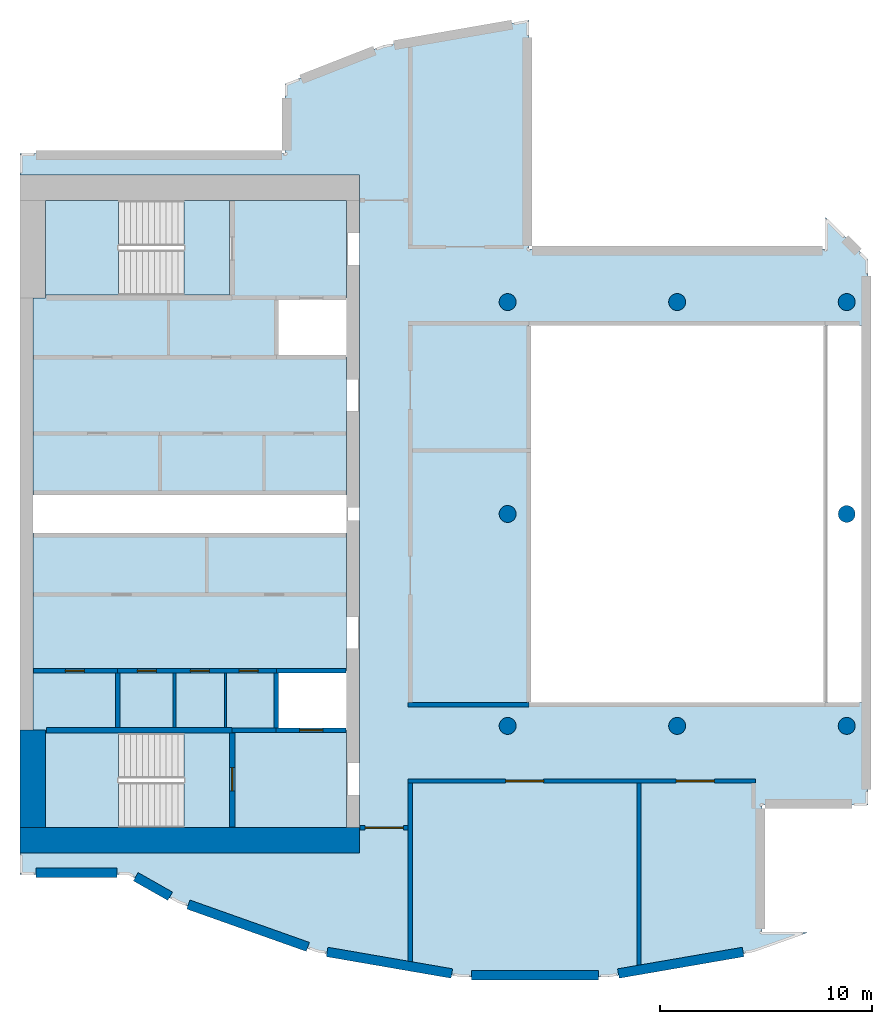
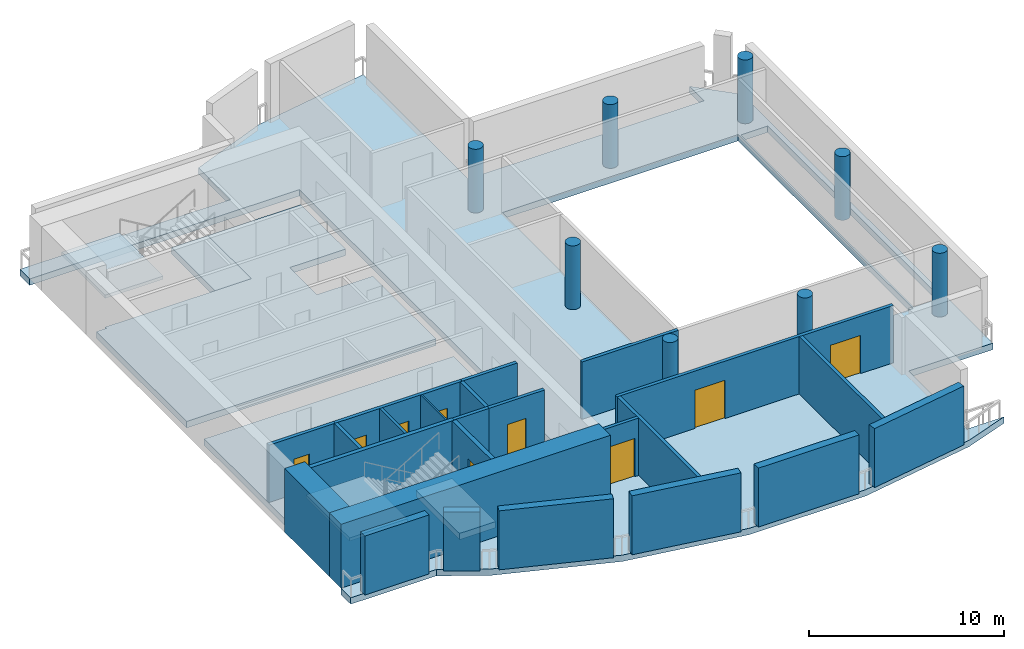
# One storey, part 1 of 8: 24 walls, 9 doors, 8 columns, 7 slabs, 9 openings, 2 elements without a shape of their own.
"""IFC4 building model written with IfcOpenShell, lengths in metres."""

from ifc_helpers import new_model, si_unit, direction, frame, frame_2d, origin, origin_2d, place, context, subcontext, project, spatial, polyline, rectangle, circle, outline, extrude, material, layer, layer_set, material_profile, profile_set, type_object, element, fill, aggregate, save


model = new_model("IFC4")

# Units and contexts
model_context = context("Model", 3, precision=1e-05, world=origin(), true_north=direction((0.0, 1.0)))
body_context = subcontext(model_context, "Body", "Model", "MODEL_VIEW")
ifc_project = project(units=[si_unit("LENGTHUNIT", "METRE"), si_unit("AREAUNIT", "SQUARE_METRE"), si_unit("VOLUMEUNIT", "CUBIC_METRE"), si_unit("PLANEANGLEUNIT", "RADIAN"), si_unit("MASSUNIT", "GRAM", prefix="KILO")], contexts=[model_context])

# Site, building, storey
site_placement = place(None, origin())
site = spatial("IfcSite", under=ifc_project, at=site_placement, CompositionType="ELEMENT")
building_placement = place(site_placement, origin())
building = spatial("IfcBuilding", under=site, at=building_placement, Name="Cypress Arch Tower", CompositionType="ELEMENT")
storey_placement = place(building_placement, frame((0.0, 0.0, 351.0)))
storey = spatial("IfcBuildingStorey", under=building, at=storey_placement, Name="L80", CompositionType="ELEMENT", Elevation=351.0)

# Columns
ifc_material_1 = material(Name="Concrete C60/75", Category="concrete")
ifc_material_profile = material_profile(ifc_material_1, circle(Radius=0.39990234375, at=origin_2d()), Name="RC D800")
ifc_profile_set = profile_set([ifc_material_profile], Name="Concrete C60/75")
column_type = type_object("IfcColumnType", Name="Column RC D800 Concrete C60/75", PredefinedType="COLUMN", material=ifc_profile_set)
for number, where, z_axis, x_axis, name in (
    (1, (-7.0, -10.0, 0.0), (0.0, 0.0, 1.0), (1.0, 0.0, 0.0), "Column L80 RNG-L80-G-7-10"),
    (2, (-7.0, 0.0, 0.0), (0.0, 0.0, 1.0), (1.0, 0.0, 0.0), "Column L80 RNG-L80-G-7+0"),
    (3, (-7.0, 10.0, 0.0), (0.0, 0.0, 1.0), (1.0, 0.0, 0.0), "Column L80 RNG-L80-G-7+10"),
    (4, (1.0, -10.0, 0.0), (0.0, 0.0, 1.0), (1.0, 0.0, 0.0), "Column L80 RNG-L80-G+1-10"),
    (5, (1.0, 10.0, 0.0), (0.0, 0.0, 1.0), (1.0, 0.0, 0.0), "Column L80 RNG-L80-G+1+10"),
    (6, (9.0, -10.0, 0.0), (0.0, 0.0, 1.0), (1.0, 0.0, 0.0), "Column L80 RNG-L80-G+9-10"),
    (7, (9.0, 0.0, 0.0), (0.0, 0.0, 1.0), (1.0, 0.0, 0.0), "Column L80 RNG-L80-G+9+0"),
    (8, (9.0, 10.0, 0.0), (0.0, 0.0, 1.0), (1.0, 0.0, 0.0), "Column L80 RNG-L80-G+9+10"),
):
    element("IfcColumn", number, at=place(storey_placement, frame(where, z_axis=z_axis, x_axis=x_axis)), inside=storey, type_object=column_type, Name=name, PredefinedType="COLUMN", context=body_context, shape_type="SweptSolid", body=[
        extrude(circle(Radius=0.39990234375, at=origin_2d()), origin(), (0.0, 0.0, 1.0), 4.0),
    ])

# Slabs
ifc_material_2 = material(Name="Concrete C40/50", Category="concrete")
ifc_layer_1 = layer(ifc_material_2, 0.402099609375)
ifc_layer_set_1 = layer_set([ifc_layer_1], Name="Core floor CF402")
slab_type_1 = type_object("IfcSlabType", Name="Core floor CF402", PredefinedType="FLOOR", material=ifc_layer_set_1)
slab_1_placement = place(storey_placement, frame((0.0, 0.0, -0.402099609375)))
element("IfcSlab", 9, at=slab_1_placement, inside=storey, type_object=slab_type_1, Name="Core floor", PredefinedType="FLOOR", context=body_context, shape_type="SweptSolid", body=[
    extrude(outline(polyline([(-28.800048828125, -10.199951171875), (-29.0, -10.199951171875), (-29.39990234375, -10.199951171875), (-29.39990234375, -0.89990234375), (-29.0, -0.89990234375), (-15.0, -0.89990234375), (-14.60009765625, -0.89990234375), (-14.60009765625, -7.39990234375), (-15.0, -7.39990234375), (-17.919921875, -7.39990234375), (-17.919921875, -10.199951171875), (-15.0, -10.199951171875), (-14.60009765625, -10.199951171875), (-14.60009765625, -14.800048828125), (-15.0, -14.800048828125), (-20.125, -14.800048828125), (-20.125, -10.324951171875), (-22.27490234375, -10.324951171875), (-28.800048828125, -10.324951171875), (-28.800048828125, -10.199951171875)])), origin(), (0.0, 0.0, 1.0), 0.402099609375),
])
slab_2_placement = place(storey_placement, frame((0.0, 0.0, -0.402099609375)))
element("IfcSlab", 10, at=slab_2_placement, inside=storey, type_object=slab_type_1, Name="Core floor", PredefinedType="FLOOR", context=body_context, shape_type="SweptSolid", body=[
    extrude(outline(polyline([(-22.27490234375, -10.324951171875), (-22.27490234375, -14.800048828125), (-20.125, -14.800048828125), (-20.125, -10.324951171875), (-22.27490234375, -10.324951171875)])), origin(), (0.0, 0.0, 1.0), 0.402099609375),
])
slab_3_placement = place(storey_placement, frame((0.0, 0.0, -0.402099609375)))
element("IfcSlab", 11, at=slab_3_placement, inside=storey, type_object=slab_type_1, Name="Core floor", PredefinedType="FLOOR", context=body_context, shape_type="SweptSolid", body=[
    extrude(outline(polyline([(-20.125, 14.800048828125), (-22.27490234375, 14.800048828125), (-22.27490234375, 10.324951171875), (-20.125, 10.324951171875), (-20.125, 14.800048828125)])), origin(), (0.0, 0.0, 1.0), 0.402099609375),
])
slab_4_placement = place(storey_placement, frame((0.0, 0.0, -0.402099609375)))
element("IfcSlab", 12, at=slab_4_placement, inside=storey, type_object=slab_type_1, Name="Core floor", PredefinedType="FLOOR", context=body_context, shape_type="SweptSolid", body=[
    extrude(outline(polyline([(-22.27490234375, 10.324951171875), (-20.125, 10.324951171875), (-20.125, 14.800048828125), (-15.0, 14.800048828125), (-14.60009765625, 14.800048828125), (-14.60009765625, 10.199951171875), (-15.0, 10.199951171875), (-17.919921875, 10.199951171875), (-17.919921875, 7.39990234375), (-15.0, 7.39990234375), (-14.60009765625, 7.39990234375), (-14.60009765625, 1.5), (-14.60009765625, 0.89990234375), (-15.0, 0.89990234375), (-29.0, 0.89990234375), (-29.39990234375, 0.89990234375), (-29.39990234375, 1.5), (-29.39990234375, 10.199951171875), (-29.0, 10.199951171875), (-28.800048828125, 10.199951171875), (-28.800048828125, 10.324951171875), (-22.27490234375, 10.324951171875)])), origin(), (0.0, 0.0, 1.0), 0.402099609375),
])
ifc_material_3 = material(Name="Concrete C40/50", Category="concrete")
ifc_layer_2 = layer(ifc_material_3, 0.39990234375)
ifc_layer_set_2 = layer_set([ifc_layer_2], Name="Crown flat slab 400 Concrete C40/50")
slab_type_2 = type_object("IfcSlabType", Name="Crown flat slab 400 Concrete C40/50", PredefinedType="FLOOR", material=ifc_layer_set_2)
slab_5_placement = place(storey_placement, frame((0.0, 0.0, -0.39990234375)))
element("IfcSlab", 13, at=slab_5_placement, inside=storey, type_object=slab_type_2, Name="Floor slab L80", PredefinedType="FLOOR", context=body_context, shape_type="SweptSolid", body=[
    extrude(outline(polyline([(-17.5, 17.0), (-17.5, 20.2900390625), (-12.85009765625, 22.110107421875), (-6.0, 23.300048828125), (-6.0, 12.5), (8.0, 12.5), (8.0, 14.0), (10.0, 12.0), (10.0, -13.739990234375), (5.0, -13.739990234375), (5.0, -19.739990234375), (7.18994140625, -19.739990234375), (4.60009765625, -20.659912109375), (-2.22998046875, -21.840087890625), (-9.169921875, -21.840087890625), (-16.0, -20.659912109375), (-22.5400390625, -18.340087890625), (-24.909912109375, -17.0), (-30.0, -17.0), (-30.0, -16.0), (-14.0, -16.0), (-14.0, 16.0), (-30.0, 16.0), (-30.0, 17.0), (-17.5, 17.0)]), holes=[polyline([(8.10009765625, -8.89990234375), (9.699951171875, -8.89990234375), (9.699951171875, 8.89990234375), (8.10009765625, 8.89990234375), (8.10009765625, -8.89990234375)]), polyline([(8.0, -9.0), (8.0, 9.0), (-6.0, 9.0), (-6.0, -9.0), (8.0, -9.0)])]), origin(), (0.0, 0.0, 1.0), 0.39990234375),
])

# Stair, slab
ifc_material_4 = material(Name="Concrete C40/50", Category="concrete")
stair_type = type_object("IfcStairType", Name="Exit stair ES1667-215", PredefinedType="HALF_TURN_STAIR", material=ifc_material_4)
stair_1_placement = place(storey_placement, origin())
stair_1 = element("IfcStair", 14, at=stair_1_placement, inside=storey, type_object=stair_type, Name="L80 Exit stair A", PredefinedType="HALF_TURN_STAIR")
ifc_material_5 = material(Name="Concrete C40/50", Category="concrete")
ifc_layer_3 = layer(ifc_material_5, 0.199951171875)
ifc_layer_set_3 = layer_set([ifc_layer_3], Name="Stair landing SL200")
slab_type_3 = type_object("IfcSlabType", Name="Stair landing SL200", PredefinedType="LANDING", material=ifc_layer_set_3)
slab_6_placement = place(storey_placement, frame((0.0, 0.0, 1.800048828125)))
slab_6 = element("IfcSlab", 15, at=slab_6_placement, type_object=slab_type_3, Name="A landing 1", PredefinedType="LANDING", context=body_context, shape_type="SweptSolid", body=[
    extrude(outline(polyline([(-25.35498046875, -10.324951171875), (-28.800048828125, -10.324951171875), (-28.800048828125, -14.800048828125), (-25.35498046875, -14.800048828125), (-25.35498046875, -10.324951171875)])), origin(), (0.0, 0.0, 1.0), 0.199951171875),
])
aggregate(stair_1, [slab_6])

stair_2_placement = place(storey_placement, origin())
stair_2 = element("IfcStair", 16, at=stair_2_placement, inside=storey, type_object=stair_type, Name="L80 Exit stair B", PredefinedType="HALF_TURN_STAIR")
slab_7_placement = place(storey_placement, frame((0.0, 0.0, 1.800048828125)))
slab_7 = element("IfcSlab", 17, at=slab_7_placement, type_object=slab_type_3, Name="B landing 1", PredefinedType="LANDING", context=body_context, shape_type="SweptSolid", body=[
    extrude(outline(polyline([(-25.35498046875, 14.800048828125), (-28.800048828125, 14.800048828125), (-28.800048828125, 10.324951171875), (-25.35498046875, 10.324951171875), (-25.35498046875, 14.800048828125)])), origin(), (0.0, 0.0, 1.0), 0.199951171875),
])
aggregate(stair_2, [slab_7])

# Walls
ifc_material_6 = material(Name="Brick (red buff blend)", Category="masonry")
ifc_layer_4 = layer(ifc_material_6, 0.449951171875)
ifc_layer_set_4 = layer_set([ifc_layer_4], Name="Brick belt wall BW450-B")
wall_type_1 = type_object("IfcWallType", Name="Brick belt wall BW450-B", PredefinedType="SOLIDWALL", material=ifc_layer_set_4)
wall_1_placement = place(storey_placement, frame((-29.25, -16.925048828125, 0.0), z_axis=(0.0, 0.0, 1.0), x_axis=(1.0, 0.0, 0.0)))
element("IfcWall", 18, at=wall_1_placement, inside=storey, type_object=wall_type_1, Name="Brick wall L80 K00.0", PredefinedType="SOLIDWALL", context=body_context, shape_type="SweptSolid", body=[
    extrude(rectangle(XDim=3.8056640625, YDim=0.449951171875, at=frame_2d((1.90283203125, 0.0))), origin(), (0.0, 0.0, 1.0), 3.699951171875),
])
wall_2_placement = place(storey_placement, frame((-24.550048828125, -17.117431640625, 0.0), z_axis=(0.0, 0.0, 1.0), x_axis=(0.8704776513, -0.492207942427, 0.0)))
element("IfcWall", 19, at=wall_2_placement, inside=storey, type_object=wall_type_1, Name="Brick wall L80 K01.0", PredefinedType="SOLIDWALL", context=body_context, shape_type="SweptSolid", body=[
    extrude(rectangle(XDim=1.868408203125, YDim=0.449951171875, at=frame_2d((0.93408203125, 0.0))), origin(), (0.0, 0.0, 1.0), 3.699951171875),
])
wall_3_placement = place(storey_placement, frame((-22.066162109375, -18.428466796875, 0.0), z_axis=(0.0, 0.0, 1.0), x_axis=(0.942451811453, -0.334342015142, 0.0)))
element("IfcWall", 20, at=wall_3_placement, inside=storey, type_object=wall_type_1, Name="Brick wall L80 K02.0", PredefinedType="SOLIDWALL", context=body_context, shape_type="SweptSolid", body=[
    extrude(rectangle(XDim=5.981201171875, YDim=0.449951171875, at=frame_2d((2.99072265625, 0.0))), origin(), (0.0, 0.0, 1.0), 3.699951171875),
])
wall_4_placement = place(storey_placement, frame((-15.5185546875, -20.6669921875, 0.0), z_axis=(0.0, 0.0, 1.0), x_axis=(0.985396567064, -0.170275088074, 0.0)))
element("IfcWall", 21, at=wall_4_placement, inside=storey, type_object=wall_type_1, Name="Brick wall L80 K03.0", PredefinedType="SOLIDWALL", context=body_context, shape_type="SweptSolid", body=[
    extrude(rectangle(XDim=5.97314453125, YDim=0.449951171875, at=frame_2d((2.986572265625, 0.0))), origin(), (0.0, 0.0, 1.0), 3.699951171875),
])
wall_5_placement = place(storey_placement, frame((-8.6943359375, -21.764892578125, 0.0), z_axis=(0.0, 0.0, 1.0), x_axis=(1.0, 0.0, 0.0)))
element("IfcWall", 22, at=wall_5_placement, inside=storey, type_object=wall_type_1, Name="Brick wall L80 K04.0", PredefinedType="SOLIDWALL", context=body_context, shape_type="SweptSolid", body=[
    extrude(rectangle(XDim=5.98193359375, YDim=0.449951171875, at=frame_2d((2.990966796875, 0.0))), origin(), (0.0, 0.0, 1.0), 3.699951171875),
])
wall_6_placement = place(storey_placement, frame((-1.77392578125, -21.68505859375, 0.0), z_axis=(0.0, 0.0, 1.0), x_axis=(0.985403424257, 0.170235400142, 0.0)))
element("IfcWall", 23, at=wall_6_placement, inside=storey, type_object=wall_type_1, Name="Brick wall L80 K05.0", PredefinedType="SOLIDWALL", context=body_context, shape_type="SweptSolid", body=[
    extrude(rectangle(XDim=5.97314453125, YDim=0.449951171875, at=frame_2d((2.986572265625, 0.0))), origin(), (0.0, 0.0, 1.0), 3.699951171875),
])
ifc_material_7 = material(Name="Concrete C50/60", Category="concrete")
ifc_layer_5 = layer(ifc_material_7, 1.199951171875)
ifc_layer_set_5 = layer_set([ifc_layer_5], Name="Core wall CW1200 C50/60")
wall_type_2 = type_object("IfcWallType", Name="Core wall CW1200 C50/60", PredefinedType="SHEAR", material=ifc_layer_set_5)
wall_7_placement = place(storey_placement, frame((-30.0, -15.39990234375, 0.0), z_axis=(0.0, 0.0, 1.0), x_axis=(1.0, 0.0, 0.0)))
element("IfcWall", 24, at=wall_7_placement, inside=storey, type_object=wall_type_2, Name="Core wall", PredefinedType="SHEAR", context=body_context, shape_type="SweptSolid", body=[
    extrude(rectangle(XDim=16.0, YDim=1.199951171875, at=frame_2d((8.0, 0.0))), origin(), (0.0, 0.0, 1.0), 4.0),
])
wall_8_placement = place(storey_placement, frame((-29.39990234375, -14.800048828125, 0.0), z_axis=(0.0, 0.0, 1.0), x_axis=(0.0, 1.0, 0.0)))
element("IfcWall", 25, at=wall_8_placement, inside=storey, type_object=wall_type_2, Name="Core wall", PredefinedType="SHEAR", context=body_context, shape_type="SweptSolid", body=[
    extrude(rectangle(XDim=4.60009765625, YDim=1.199951171875, at=frame_2d((2.300048828125, 0.0))), origin(), (0.0, 0.0, 1.0), 4.0),
])

# Wall, openings, doors
ifc_material_8 = material(Name="Concrete blockwork, plastered, rated", Category="masonry")
ifc_layer_6 = layer(ifc_material_8, 0.199951171875)
ifc_layer_set_6 = layer_set([ifc_layer_6], Name="Corridor wall FW200")
wall_type_3 = type_object("IfcWallType", Name="Corridor wall FW200", PredefinedType="PARTITIONING", material=ifc_layer_set_6)
wall_9_placement = place(storey_placement, frame((-25.419921875, -7.39990234375, 0.0), z_axis=(0.0, 0.0, 1.0), x_axis=(1.0, 0.0, 0.0)))
wall_9 = element("IfcWall", 26, at=wall_9_placement, inside=storey, type_object=wall_type_3, Name="Corridor wall", PredefinedType="PARTITIONING", context=body_context, shape_type="SweptSolid", body=[
    extrude(rectangle(XDim=7.52001953125, YDim=0.199951171875, at=frame_2d((3.760009765625, 0.0))), origin(), (0.0, 0.0, 1.0), 3.597900390625),
])
opening_1_placement = place(wall_9_placement, frame((0.949951171875, 0.0, 0.0)))
opening_1 = element("IfcOpeningElement", 27, at=opening_1_placement, cuts=wall_9, Name="Opening D05", PredefinedType="OPENING", context=body_context, shape_type="SweptSolid", body=[
    extrude(rectangle(XDim=0.89990234375, YDim=2.199951171875, at=frame_2d((0.449951171875, 1.10009765625))), frame((0.0, 0.10986328125, 0.0), z_axis=(0.0, -1.0, 0.0), x_axis=(1.0, 0.0, 0.0)), (0.0, 0.0, 1.0), 0.219970703125),
])
opening_2_placement = place(wall_9_placement, frame((3.449951171875, 0.0, 0.0)))
opening_2 = element("IfcOpeningElement", 28, at=opening_2_placement, cuts=wall_9, Name="Opening D05", PredefinedType="OPENING", context=body_context, shape_type="SweptSolid", body=[
    extrude(rectangle(XDim=0.89990234375, YDim=2.199951171875, at=frame_2d((0.449951171875, 1.10009765625))), frame((0.0, 0.10986328125, 0.0), z_axis=(0.0, -1.0, 0.0), x_axis=(1.0, 0.0, 0.0)), (0.0, 0.0, 1.0), 0.219970703125),
])
opening_3_placement = place(wall_9_placement, frame((5.75, 0.0, 0.0)))
opening_3 = element("IfcOpeningElement", 29, at=opening_3_placement, cuts=wall_9, Name="Opening D05", PredefinedType="OPENING", context=body_context, shape_type="SweptSolid", body=[
    extrude(rectangle(XDim=0.89990234375, YDim=2.199951171875, at=frame_2d((0.449951171875, 1.10009765625))), frame((0.0, 0.10986328125, 0.0), z_axis=(0.0, -1.0, 0.0), x_axis=(1.0, 0.0, 0.0)), (0.0, 0.0, 1.0), 0.219970703125),
])
ifc_material_9 = material(Name="Timber flush door", Category="wood")
door_type_1 = type_object("IfcDoorType", Name="Service door D05 900x2200", OperationType="SINGLE_SWING_LEFT", PredefinedType="DOOR", material=ifc_material_9)
door_1_placement = place(opening_1_placement, origin())
door_1 = element("IfcDoor", 30, at=door_1_placement, inside=storey, type_object=door_type_1, Name="Service door", OperationType="SINGLE_SWING_LEFT", OverallHeight=2.199951171875, OverallWidth=0.89990234375, PredefinedType="DOOR", context=body_context, shape_type="SweptSolid", body=[
    extrude(rectangle(XDim=0.89990234375, YDim=2.199951171875, at=frame_2d((0.449951171875, 1.10009765625))), frame((0.0, 0.02490234375, 0.0), z_axis=(0.0, -1.0, 0.0), x_axis=(1.0, 0.0, 0.0)), (0.0, 0.0, 1.0), 0.050048828125),
])
fill(opening_1, door_1)
door_2_placement = place(opening_2_placement, origin())
door_2 = element("IfcDoor", 31, at=door_2_placement, inside=storey, type_object=door_type_1, Name="Service door", OperationType="SINGLE_SWING_RIGHT", OverallHeight=2.199951171875, OverallWidth=0.89990234375, PredefinedType="DOOR", context=body_context, shape_type="SweptSolid", body=[
    extrude(rectangle(XDim=0.89990234375, YDim=2.199951171875, at=frame_2d((0.449951171875, 1.10009765625))), frame((0.0, 0.02490234375, 0.0), z_axis=(0.0, -1.0, 0.0), x_axis=(1.0, 0.0, 0.0)), (0.0, 0.0, 1.0), 0.050048828125),
])
fill(opening_2, door_2)
door_3_placement = place(opening_3_placement, origin())
door_3 = element("IfcDoor", 32, at=door_3_placement, inside=storey, type_object=door_type_1, Name="Service door", OperationType="SINGLE_SWING_RIGHT", OverallHeight=2.199951171875, OverallWidth=0.89990234375, PredefinedType="DOOR", context=body_context, shape_type="SweptSolid", body=[
    extrude(rectangle(XDim=0.89990234375, YDim=2.199951171875, at=frame_2d((0.449951171875, 1.10009765625))), frame((0.0, 0.02490234375, 0.0), z_axis=(0.0, -1.0, 0.0), x_axis=(1.0, 0.0, 0.0)), (0.0, 0.0, 1.0), 0.050048828125),
])
fill(opening_3, door_3)

# Walls
wall_10_placement = place(storey_placement, frame((-20.0, -10.199951171875, 0.0), z_axis=(0.0, 0.0, 1.0), x_axis=(1.0, 0.0, 0.0)))
element("IfcWall", 33, at=wall_10_placement, inside=storey, type_object=wall_type_3, Name="Corridor wall", PredefinedType="PARTITIONING", context=body_context, shape_type="SweptSolid", body=[
    extrude(rectangle(XDim=2.080078125, YDim=0.199951171875, at=frame_2d((1.0400390625, 0.0))), origin(), (0.0, 0.0, 1.0), 3.597900390625),
])
ifc_material_10 = material(Name="Blockwork, plastered both sides", Category="masonry")
ifc_layer_7 = layer(ifc_material_10, 0.14990234375)
ifc_layer_set_7 = layer_set([ifc_layer_7], Name="Partition PW150")
wall_type_4 = type_object("IfcWallType", Name="Partition PW150", PredefinedType="PARTITIONING", material=ifc_layer_set_7)
wall_11_placement = place(storey_placement, frame((-22.719970703125, -10.074951171875, 0.0), z_axis=(0.0, 0.0, 1.0), x_axis=(0.0, 1.0, 0.0)))
element("IfcWall", 34, at=wall_11_placement, inside=storey, type_object=wall_type_4, Name="Partition", PredefinedType="PARTITIONING", context=body_context, shape_type="SweptSolid", body=[
    extrude(rectangle(XDim=2.574951171875, YDim=0.14990234375, at=frame_2d((1.28759765625, 0.0))), origin(), (0.0, 0.0, 1.0), 3.597900390625),
])

# Wall, opening, door
ifc_material_11 = material(Name="Reinforced blockwork, plastered, rated", Category="masonry")
ifc_layer_8 = layer(ifc_material_11, 0.199951171875)
ifc_layer_set_8 = layer_set([ifc_layer_8], Name="Plant and riser wall PL200")
wall_type_5 = type_object("IfcWallType", Name="Plant and riser wall PL200", PredefinedType="PARTITIONING", material=ifc_layer_set_8)
wall_12_placement = place(storey_placement, frame((-29.3701171875, -7.39990234375, 0.0), z_axis=(0.0, 0.0, 1.0), x_axis=(1.0, 0.0, 0.0)))
wall_12 = element("IfcWall", 35, at=wall_12_placement, inside=storey, type_object=wall_type_5, Name="Plant and riser wall", PredefinedType="PARTITIONING", context=body_context, shape_type="SweptSolid", body=[
    extrude(rectangle(XDim=3.9501953125, YDim=0.199951171875, at=frame_2d((1.97509765625, 0.0))), origin(), (0.0, 0.0, 1.0), 3.597900390625),
])
opening_4_placement = place(wall_12_placement, frame((1.5, 0.0, 0.0)))
opening_4 = element("IfcOpeningElement", 36, at=opening_4_placement, cuts=wall_12, Name="Opening D05", PredefinedType="OPENING", context=body_context, shape_type="SweptSolid", body=[
    extrude(rectangle(XDim=0.89990234375, YDim=2.199951171875, at=frame_2d((0.449951171875, 1.10009765625))), frame((0.0, 0.10986328125, 0.0), z_axis=(0.0, -1.0, 0.0), x_axis=(1.0, 0.0, 0.0)), (0.0, 0.0, 1.0), 0.219970703125),
])
door_4_placement = place(opening_4_placement, origin())
door_4 = element("IfcDoor", 37, at=door_4_placement, inside=storey, type_object=door_type_1, Name="Service door", OperationType="SINGLE_SWING_LEFT", OverallHeight=2.199951171875, OverallWidth=0.89990234375, PredefinedType="DOOR", context=body_context, shape_type="SweptSolid", body=[
    extrude(rectangle(XDim=0.89990234375, YDim=2.199951171875, at=frame_2d((0.449951171875, 1.10009765625))), frame((0.0, 0.02490234375, 0.0), z_axis=(0.0, -1.0, 0.0), x_axis=(1.0, 0.0, 0.0)), (0.0, 0.0, 1.0), 0.050048828125),
])
fill(opening_4, door_4)

# Wall
wall_13_placement = place(storey_placement, frame((-25.39990234375, -10.074951171875, 0.0), z_axis=(0.0, 0.0, 1.0), x_axis=(0.0, 1.0, 0.0)))
element("IfcWall", 38, at=wall_13_placement, inside=storey, type_object=wall_type_5, Name="Plant and riser wall", PredefinedType="PARTITIONING", context=body_context, shape_type="SweptSolid", body=[
    extrude(rectangle(XDim=2.574951171875, YDim=0.199951171875, at=frame_2d((1.28759765625, 0.0))), origin(), (0.0, 0.0, 1.0), 3.597900390625),
])

# Wall, opening, door
wall_14_placement = place(storey_placement, frame((-13.969970703125, -14.800048828125, 0.0), z_axis=(0.0, 0.0, 1.0), x_axis=(1.0, 0.0, 0.0)))
wall_14 = element("IfcWall", 39, at=wall_14_placement, inside=storey, type_object=wall_type_5, Name="Plant and riser wall", PredefinedType="PARTITIONING", context=body_context, shape_type="SweptSolid", body=[
    extrude(rectangle(XDim=2.27001953125, YDim=0.199951171875, at=frame_2d((1.135009765625, 0.0))), origin(), (0.0, 0.0, 1.0), 3.597900390625),
])
opening_5_placement = place(wall_14_placement, frame((0.25, 0.0, 0.0)))
opening_5 = element("IfcOpeningElement", 40, at=opening_5_placement, cuts=wall_14, Name="Opening D09", PredefinedType="OPENING", context=body_context, shape_type="SweptSolid", body=[
    extrude(rectangle(XDim=1.800048828125, YDim=2.39990234375, at=frame_2d((0.89990234375, 1.199951171875))), frame((0.0, 0.10986328125, 0.0), z_axis=(0.0, -1.0, 0.0), x_axis=(1.0, 0.0, 0.0)), (0.0, 0.0, 1.0), 0.219970703125),
])
ifc_material_12 = material(Name="Steel door, fire resisting", Category="steel")
door_type_2 = type_object("IfcDoorType", Name="Plant room door D09 1800x2400", OperationType="DOUBLE_DOOR_SINGLE_SWING", PredefinedType="DOOR", material=ifc_material_12)
door_5_placement = place(opening_5_placement, origin())
door_5 = element("IfcDoor", 41, at=door_5_placement, inside=storey, type_object=door_type_2, Name="Plant room door", OperationType="DOUBLE_DOOR_SINGLE_SWING", OverallHeight=2.39990234375, OverallWidth=1.800048828125, PredefinedType="DOOR", context=body_context, shape_type="SweptSolid", body=[
    extrude(rectangle(XDim=1.800048828125, YDim=2.39990234375, at=frame_2d((0.89990234375, 1.199951171875))), frame((0.0, 0.02490234375, 0.0), z_axis=(0.0, -1.0, 0.0), x_axis=(1.0, 0.0, 0.0)), (0.0, 0.0, 1.0), 0.050048828125),
])
fill(opening_5, door_5)

# Wall
wall_15_placement = place(storey_placement, frame((-11.60009765625, -21.11572265625, 0.0), z_axis=(0.0, 0.0, 1.0), x_axis=(0.0, 1.0, 0.0)))
element("IfcWall", 42, at=wall_15_placement, inside=storey, type_object=wall_type_5, Name="Plant and riser wall", PredefinedType="PARTITIONING", context=body_context, shape_type="SweptSolid", body=[
    extrude(rectangle(XDim=8.414794921875, YDim=0.199951171875, at=frame_2d((4.20751953125, 0.0))), origin(), (0.0, 0.0, 1.0), 3.597900390625),
])

# Wall, openings, doors
wall_16_placement = place(storey_placement, frame((-11.698974609375, -12.60009765625, 0.0), z_axis=(0.0, 0.0, 1.0), x_axis=(1.0, 0.0, 0.0)))
wall_16 = element("IfcWall", 43, at=wall_16_placement, inside=storey, type_object=wall_type_5, Name="Plant and riser wall", PredefinedType="PARTITIONING", context=body_context, shape_type="SweptSolid", body=[
    extrude(rectangle(XDim=16.39794921875, YDim=0.199951171875, at=frame_2d((8.198974609375, 0.0))), origin(), (0.0, 0.0, 1.0), 3.597900390625),
])
opening_6_placement = place(wall_16_placement, frame((4.60009765625, 0.0, 0.0)))
opening_6 = element("IfcOpeningElement", 44, at=opening_6_placement, cuts=wall_16, Name="Opening D09", PredefinedType="OPENING", context=body_context, shape_type="SweptSolid", body=[
    extrude(rectangle(XDim=1.800048828125, YDim=2.39990234375, at=frame_2d((0.89990234375, 1.199951171875))), frame((0.0, 0.10986328125, 0.0), z_axis=(0.0, -1.0, 0.0), x_axis=(1.0, 0.0, 0.0)), (0.0, 0.0, 1.0), 0.219970703125),
])
opening_7_placement = place(wall_16_placement, frame((12.64990234375, 0.0, 0.0)))
opening_7 = element("IfcOpeningElement", 45, at=opening_7_placement, cuts=wall_16, Name="Opening D09", PredefinedType="OPENING", context=body_context, shape_type="SweptSolid", body=[
    extrude(rectangle(XDim=1.800048828125, YDim=2.39990234375, at=frame_2d((0.89990234375, 1.199951171875))), frame((0.0, 0.10986328125, 0.0), z_axis=(0.0, -1.0, 0.0), x_axis=(1.0, 0.0, 0.0)), (0.0, 0.0, 1.0), 0.219970703125),
])
door_6_placement = place(opening_6_placement, origin())
door_6 = element("IfcDoor", 46, at=door_6_placement, inside=storey, type_object=door_type_2, Name="Plant room door", OperationType="DOUBLE_DOOR_SINGLE_SWING", OverallHeight=2.39990234375, OverallWidth=1.800048828125, PredefinedType="DOOR", context=body_context, shape_type="SweptSolid", body=[
    extrude(rectangle(XDim=1.800048828125, YDim=2.39990234375, at=frame_2d((0.89990234375, 1.199951171875))), frame((0.0, 0.02490234375, 0.0), z_axis=(0.0, -1.0, 0.0), x_axis=(1.0, 0.0, 0.0)), (0.0, 0.0, 1.0), 0.050048828125),
])
fill(opening_6, door_6)
door_7_placement = place(opening_7_placement, origin())
door_7 = element("IfcDoor", 47, at=door_7_placement, inside=storey, type_object=door_type_2, Name="Plant room door", OperationType="DOUBLE_DOOR_SINGLE_SWING", OverallHeight=2.39990234375, OverallWidth=1.800048828125, PredefinedType="DOOR", context=body_context, shape_type="SweptSolid", body=[
    extrude(rectangle(XDim=1.800048828125, YDim=2.39990234375, at=frame_2d((0.89990234375, 1.199951171875))), frame((0.0, 0.02490234375, 0.0), z_axis=(0.0, -1.0, 0.0), x_axis=(1.0, 0.0, 0.0)), (0.0, 0.0, 1.0), 0.050048828125),
])
fill(opening_7, door_7)

# Walls
wall_17_placement = place(storey_placement, frame((-11.698974609375, -9.0, 0.0), z_axis=(0.0, 0.0, 1.0), x_axis=(1.0, 0.0, 0.0)))
element("IfcWall", 48, at=wall_17_placement, inside=storey, type_object=wall_type_5, Name="Plant and riser wall", PredefinedType="PARTITIONING", context=body_context, shape_type="SweptSolid", body=[
    extrude(rectangle(XDim=5.718994140625, YDim=0.199951171875, at=frame_2d((2.859375, 0.0))), origin(), (0.0, 0.0, 1.0), 3.597900390625),
])
wall_18_placement = place(storey_placement, frame((-0.800048828125, -21.28857421875, 0.0), z_axis=(0.0, 0.0, 1.0), x_axis=(0.0, 1.0, 0.0)))
element("IfcWall", 49, at=wall_18_placement, inside=storey, type_object=wall_type_5, Name="Plant and riser wall", PredefinedType="PARTITIONING", context=body_context, shape_type="SweptSolid", body=[
    extrude(rectangle(XDim=8.588623046875, YDim=0.199951171875, at=frame_2d((4.29443359375, 0.0))), origin(), (0.0, 0.0, 1.0), 3.597900390625),
])
ifc_material_13 = material(Name="Concrete C50/60", Category="concrete")
ifc_layer_9 = layer(ifc_material_13, 0.199951171875)
ifc_layer_set_9 = layer_set([ifc_layer_9], Name="Shaft wall SH200")
wall_type_6 = type_object("IfcWallType", Name="Shaft wall SH200", PredefinedType="SHEAR", material=ifc_layer_set_9)
wall_19_placement = place(storey_placement, frame((-17.919921875, -10.10009765625, 0.0), z_axis=(0.0, 0.0, 1.0), x_axis=(0.0, 1.0, 0.0)))
element("IfcWall", 50, at=wall_19_placement, inside=storey, type_object=wall_type_6, Name="Shaft wall", PredefinedType="SHEAR", context=body_context, shape_type="SweptSolid", body=[
    extrude(rectangle(XDim=2.60009765625, YDim=0.199951171875, at=frame_2d((1.300048828125, 0.0))), origin(), (0.0, 0.0, 1.0), 3.597900390625),
])

# Wall, opening, door
wall_20_placement = place(storey_placement, frame((-17.919921875, -10.199951171875, 0.0), z_axis=(0.0, 0.0, 1.0), x_axis=(1.0, 0.0, 0.0)))
wall_20 = element("IfcWall", 51, at=wall_20_placement, inside=storey, type_object=wall_type_6, Name="Shaft wall", PredefinedType="SHEAR", context=body_context, shape_type="SweptSolid", body=[
    extrude(rectangle(XDim=3.2900390625, YDim=0.199951171875, at=frame_2d((1.64501953125, 0.0))), origin(), (0.0, 0.0, 1.0), 3.597900390625),
])
opening_8_placement = place(wall_20_placement, frame((1.10009765625, 0.0, 0.0)))
opening_8 = element("IfcOpeningElement", 52, at=opening_8_placement, cuts=wall_20, Name="Opening LD-FL1", PredefinedType="OPENING", context=body_context, shape_type="SweptSolid", body=[
    extrude(rectangle(XDim=1.10009765625, YDim=2.199951171875, at=frame_2d((0.550048828125, 1.10009765625))), frame((0.0, 0.10986328125, 0.0), z_axis=(0.0, -1.0, 0.0), x_axis=(1.0, 0.0, 0.0)), (0.0, 0.0, 1.0), 0.219970703125),
])
ifc_material_14 = material(Name="Stainless steel centre-opening landing door, rated", Category="steel")
door_type_3 = type_object("IfcDoorType", Name="Lift landing door LD 1100x2200", OperationType="DOUBLE_DOOR_SLIDING", PredefinedType="DOOR", material=ifc_material_14)
door_8_placement = place(opening_8_placement, origin())
door_8 = element("IfcDoor", 53, at=door_8_placement, inside=storey, type_object=door_type_3, Name="Lift landing doors FL1", OperationType="DOUBLE_DOOR_SLIDING", OverallHeight=2.199951171875, OverallWidth=1.10009765625, PredefinedType="DOOR", context=body_context, shape_type="SweptSolid", body=[
    extrude(rectangle(XDim=1.10009765625, YDim=2.199951171875, at=frame_2d((0.550048828125, 1.10009765625))), frame((0.0, 0.02490234375, 0.0), z_axis=(0.0, -1.0, 0.0), x_axis=(1.0, 0.0, 0.0)), (0.0, 0.0, 1.0), 0.050048828125),
])
fill(opening_8, door_8)

# Walls
wall_21_placement = place(storey_placement, frame((-17.89990234375, -7.39990234375, 0.0), z_axis=(0.0, 0.0, 1.0), x_axis=(1.0, 0.0, 0.0)))
element("IfcWall", 54, at=wall_21_placement, inside=storey, type_object=wall_type_6, Name="Shaft wall", PredefinedType="SHEAR", context=body_context, shape_type="SweptSolid", body=[
    extrude(rectangle(XDim=3.27001953125, YDim=0.199951171875, at=frame_2d((1.635009765625, 0.0))), origin(), (0.0, 0.0, 1.0), 3.597900390625),
])
ifc_material_15 = material(Name="Concrete C50/60", Category="concrete")
ifc_layer_10 = layer(ifc_material_15, 0.25)
ifc_layer_set_10 = layer_set([ifc_layer_10], Name="Stair enclosure wall SW250")
wall_type_7 = type_object("IfcWallType", Name="Stair enclosure wall SW250", PredefinedType="SHEAR", material=ifc_layer_set_10)
wall_22_placement = place(storey_placement, frame((-28.77001953125, -10.199951171875, 0.0), z_axis=(0.0, 0.0, 1.0), x_axis=(1.0, 0.0, 0.0)))
element("IfcWall", 55, at=wall_22_placement, inside=storey, type_object=wall_type_7, Name="Stair enclosure wall", PredefinedType="SHEAR", context=body_context, shape_type="SweptSolid", body=[
    extrude(rectangle(XDim=8.77001953125, YDim=0.25, at=frame_2d((4.385009765625, 0.0))), origin(), (0.0, 0.0, 1.0), 3.597900390625),
])

# Wall, opening, door
wall_23_placement = place(storey_placement, frame((-20.0, -14.77001953125, 0.0), z_axis=(0.0, 0.0, 1.0), x_axis=(0.0, 1.0, 0.0)))
wall_23 = element("IfcWall", 56, at=wall_23_placement, inside=storey, type_object=wall_type_7, Name="Stair enclosure wall", PredefinedType="SHEAR", context=body_context, shape_type="SweptSolid", body=[
    extrude(rectangle(XDim=4.445068359375, YDim=0.25, at=frame_2d((2.22265625, 0.0))), origin(), (0.0, 0.0, 1.0), 3.597900390625),
])
opening_9_placement = place(wall_23_placement, frame((1.699951171875, 0.0, 0.0)))
opening_9 = element("IfcOpeningElement", 57, at=opening_9_placement, cuts=wall_23, Name="Opening D06", PredefinedType="OPENING", context=body_context, shape_type="SweptSolid", body=[
    extrude(rectangle(XDim=1.10009765625, YDim=2.199951171875, at=frame_2d((0.550048828125, 1.10009765625))), frame((0.0, 0.135009765625, 0.0), z_axis=(0.0, -1.0, 0.0), x_axis=(1.0, 0.0, 0.0)), (0.0, 0.0, 1.0), 0.27001953125),
])
ifc_material_16 = material(Name="Steel door, fire resisting, panic bar", Category="steel")
door_type_4 = type_object("IfcDoorType", Name="Stair door D06 1100x2200", OperationType="SINGLE_SWING_LEFT", PredefinedType="DOOR", material=ifc_material_16)
door_9_placement = place(opening_9_placement, origin())
door_9 = element("IfcDoor", 58, at=door_9_placement, inside=storey, type_object=door_type_4, Name="Stair door", OperationType="SINGLE_SWING_RIGHT", OverallHeight=2.199951171875, OverallWidth=1.10009765625, PredefinedType="DOOR", context=body_context, shape_type="SweptSolid", body=[
    extrude(rectangle(XDim=1.10009765625, YDim=2.199951171875, at=frame_2d((0.550048828125, 1.10009765625))), frame((0.0, 0.02490234375, 0.0), z_axis=(0.0, -1.0, 0.0), x_axis=(1.0, 0.0, 0.0)), (0.0, 0.0, 1.0), 0.050048828125),
])
fill(opening_9, door_9)

# Wall
ifc_material_17 = material(Name="Moisture resistant board on steel studs, tiled", Category="steel")
ifc_layer_11 = layer(ifc_material_17, 0.10009765625)
ifc_layer_set_11 = layer_set([ifc_layer_11], Name="Wet wall PW100")
wall_type_8 = type_object("IfcWallType", Name="Wet wall PW100", PredefinedType="PARTITIONING", material=ifc_layer_set_11)
wall_24_placement = place(storey_placement, frame((-20.320068359375, -10.074951171875, 0.0), z_axis=(0.0, 0.0, 1.0), x_axis=(0.0, 1.0, 0.0)))
element("IfcWall", 59, at=wall_24_placement, inside=storey, type_object=wall_type_8, Name="Wet wall", PredefinedType="PARTITIONING", context=body_context, shape_type="SweptSolid", body=[
    extrude(rectangle(XDim=2.574951171875, YDim=0.10009765625, at=frame_2d((1.28759765625, 0.0))), origin(), (0.0, 0.0, 1.0), 3.597900390625),
])

save(model, "model.ifc")
